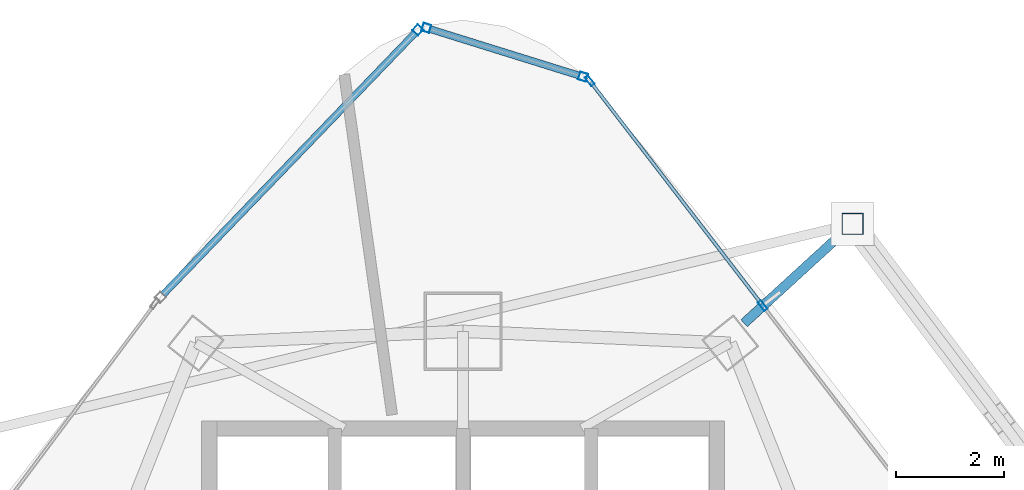
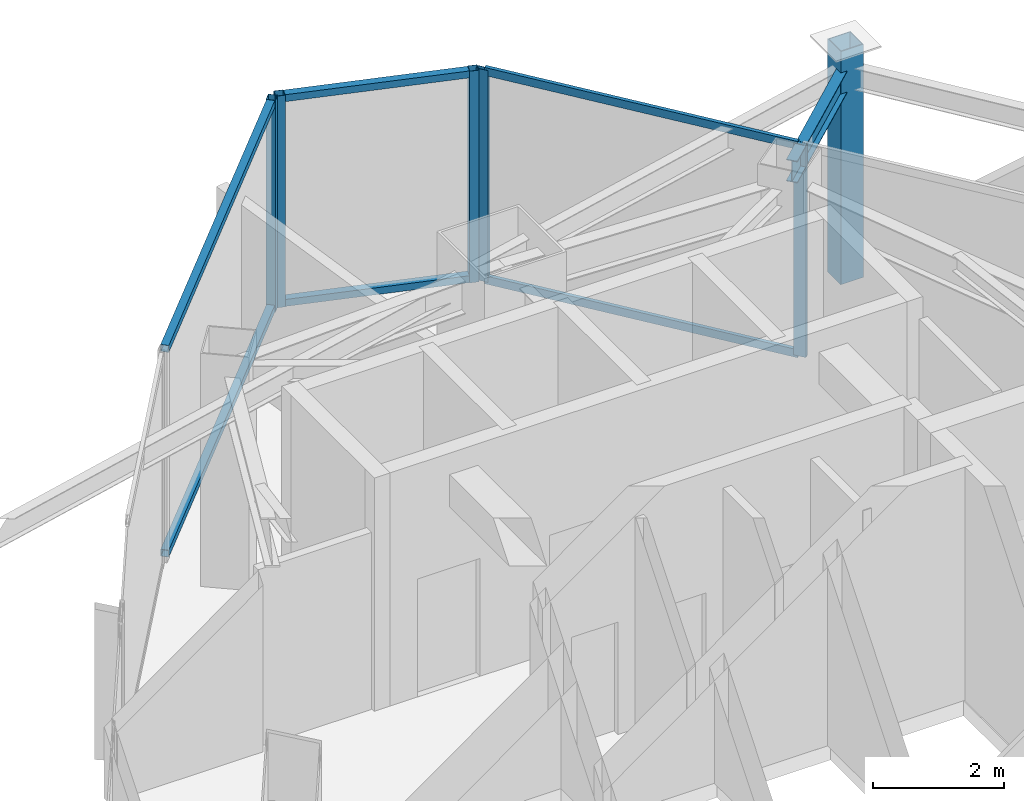
# One storey, part 20 of 27: 12 members, 1 beam, 3 elements without a shape of their own.
"""IFC4 building model written with IfcOpenShell, lengths in metres."""

import ifcopenshell
import ifcopenshell.guid

model = None  # the IFC model being written
_history = None  # IfcOwnerHistory: only IFC2X3 demands one
_inside = {}  # id of a spatial element -> (the spatial element, [elements in it])
_under = {}  # id of a project, library or spatial element -> (it, [spatial elements below it])
_declared = {}  # id of a project -> (the project, [libraries it declares])
_typed = {}  # id of a type object -> (the type object, [elements of that type])
_made_of = {}  # id of a material, layer set ... -> (it, [elements and type objects made of it])


def new_model(schema):
    """Start an empty IFC model of exactly this schema.

    Asked for "IFC4X3", IfcOpenShell would pick the latest addendum, in which some entities
    have other attributes; the version numbers below select the first issue.
    IFC2X3 requires an IfcOwnerHistory on every rooted entity: one is made here for all.
    """
    global model, _history
    if schema == "IFC4X3":
        model = ifcopenshell.file(schema_version=(4, 3, 0, 0))
    else:
        model = ifcopenshell.file(schema=schema)
    _inside.clear()
    _under.clear()
    _declared.clear()
    _typed.clear()
    _made_of.clear()
    _history = None
    if model.schema == "IFC2X3":
        org = make("IfcOrganization", Name="unknown")
        user = make(
            "IfcPersonAndOrganization",
            ThePerson=make("IfcPerson", FamilyName="unknown"),
            TheOrganization=org,
        )
        app = make(
            "IfcApplication",
            ApplicationDeveloper=org,
            Version="unknown",
            ApplicationFullName="unknown",
            ApplicationIdentifier="unknown",
        )
        _history = make(
            "IfcOwnerHistory",
            OwningUser=user,
            OwningApplication=app,
            ChangeAction="ADDED",
            CreationDate=0,
        )
    return model


def make(cls, **values):
    """One entity of the class cls with the attributes given. An attribute that is None is left unset."""
    return model.create_entity(
        cls, **{name: value for name, value in values.items() if value is not None}
    )


def rooted(cls, **values):
    """An entity with a GlobalId (a new one), such as an element, a storey or a relation."""
    return make(cls, GlobalId=ifcopenshell.guid.new(), OwnerHistory=_history, **values)


def si_unit(unit_type, name, prefix=None):
    """IfcSIUnit, for example si_unit("LENGTHUNIT", "METRE", prefix="MILLI")."""
    return make("IfcSIUnit", UnitType=unit_type, Prefix=prefix, Name=name)


def assignment(units):
    """IfcUnitAssignment: the units of a project."""
    return None if units is None else make("IfcUnitAssignment", Units=units)


def point(xyz):
    """IfcCartesianPoint."""
    return None if xyz is None else make("IfcCartesianPoint", Coordinates=xyz)


def direction(xyz):
    """IfcDirection."""
    return None if xyz is None else make("IfcDirection", DirectionRatios=xyz)


def frame(location, z_axis=None, x_axis=None):
    """IfcAxis2Placement3D, a coordinate frame: its origin and axes. An axis left out is left unset."""
    return make(
        "IfcAxis2Placement3D",
        Location=point(location),
        Axis=direction(z_axis),
        RefDirection=direction(x_axis),
    )


def frame_2d(location, x_axis=None):
    """IfcAxis2Placement2D, a coordinate frame in the plane: its origin and x axis."""
    return make(
        "IfcAxis2Placement2D", Location=point(location), RefDirection=direction(x_axis)
    )


def origin():
    """The frame at (0, 0, 0) with its axes left unset."""
    return frame((0.0, 0.0, 0.0))


def origin_2d():
    """The frame at (0, 0) in the plane with its x axis left unset."""
    return frame_2d((0.0, 0.0))


def place(relative_to, where):
    """IfcLocalPlacement: puts the frame where relative to a parent placement (None: the world)."""
    return make(
        "IfcLocalPlacement", PlacementRelTo=relative_to, RelativePlacement=where
    )


def context(
    kind, dimensions, precision=None, world=None, true_north=None, identifier=None
):
    """IfcGeometricRepresentationContext, for example the 3D "Model" context."""
    return make(
        "IfcGeometricRepresentationContext",
        ContextIdentifier=identifier,
        ContextType=kind,
        CoordinateSpaceDimension=dimensions,
        Precision=precision,
        WorldCoordinateSystem=world,
        TrueNorth=true_north,
    )


def subcontext(parent, identifier, kind, view, scale=None):
    """IfcGeometricRepresentationSubContext, for example "Body" below "Model"."""
    return make(
        "IfcGeometricRepresentationSubContext",
        ContextIdentifier=identifier,
        ContextType=kind,
        ParentContext=parent,
        TargetScale=scale,
        TargetView=view,
    )


def project(units=None, contexts=None):
    """IfcProject with its units and contexts."""
    return rooted(
        "IfcProject",
        Name="project",
        RepresentationContexts=contexts,
        UnitsInContext=assignment(units),
    )


def spatial(cls, under=None, at=None, **own):
    """A site, building, storey or space (cls), placed at a placement, below another one or the project."""
    s = rooted(cls, ObjectPlacement=at, **own)
    if under is not None:
        _under.setdefault(under.id(), (under, []))[1].append(s)
    return s


def profile(cls, at=None, kind="AREA", **sizes):
    """A parametric profile (cls). Its sizes go by their IFC names, for example OverallWidth=200.0."""
    return make(cls, ProfileType=kind, Position=at, **sizes)


def hollow_rectangle(**sizes):
    """IfcRectangleHollowProfileDef."""
    return profile("IfcRectangleHollowProfileDef", **sizes)


def i_section(**sizes):
    """IfcIShapeProfileDef."""
    return profile("IfcIShapeProfileDef", **sizes)


def extrude(swept, where, along, depth):
    """IfcExtrudedAreaSolid: the profile swept, set in the frame where, extruded along a direction by depth."""
    return make(
        "IfcExtrudedAreaSolid",
        SweptArea=swept,
        Position=where,
        ExtrudedDirection=direction(along),
        Depth=depth,
    )


def shape(context_of_items, identifier, shape_type, items):
    """IfcShapeRepresentation: the items that make up one representation, for example the "Body"."""
    return make(
        "IfcShapeRepresentation",
        ContextOfItems=context_of_items,
        RepresentationIdentifier=identifier,
        RepresentationType=shape_type,
        Items=items,
    )


def material(Name=None, Category=None):
    """IfcMaterial."""
    return make("IfcMaterial", Name=Name, Category=Category)


def layer(
    of_material, thickness, ventilated=None, Name=None, Category=None, Priority=None
):
    """IfcMaterialLayer: one layer of a wall or slab, of a material (None: an air gap)."""
    return make(
        "IfcMaterialLayer",
        Material=of_material,
        LayerThickness=thickness,
        IsVentilated=ventilated,
        Name=Name,
        Category=Category,
        Priority=Priority,
    )


def layer_set(layers, Name=None):
    """IfcMaterialLayerSet."""
    return make("IfcMaterialLayerSet", MaterialLayers=layers, LayerSetName=Name)


def material_profile(
    of_material, cross_section, Name=None, Category=None, Priority=None
):
    """IfcMaterialProfile: a cross section and its material."""
    return make(
        "IfcMaterialProfile",
        Name=Name,
        Material=of_material,
        Profile=cross_section,
        Priority=Priority,
        Category=Category,
    )


def profile_set(profiles, Name=None, composite=None):
    """IfcMaterialProfileSet."""
    return make(
        "IfcMaterialProfileSet",
        Name=Name,
        MaterialProfiles=profiles,
        CompositeProfile=composite,
    )


def made_of(thing, what):
    """Note that an element or type object is made of a material, layer set ...; save() writes the relation."""
    if what is not None:
        _made_of.setdefault(what.id(), (what, []))[1].append(thing)
    return thing


def type_object(cls, material=None, **own):
    """A type object (cls), such as IfcWallType, which elements share."""
    return made_of(rooted(cls, **own), material)


def element(
    cls,
    number,
    at=None,
    inside=None,
    cuts=None,
    type_object=None,
    material=None,
    context=None,
    identifier="Body",
    shape_type=None,
    held_by="IfcProductDefinitionShape",
    body=None,
    shapes=None,
    **own,
):
    """One element of the class cls, such as IfcWall. Its Tag is "e" and its number.

    at: its placement. inside: the storey or other place that contains it. cuts: it is an
    opening in that element (IfcRelVoidsElement). A single representation is given by context,
    identifier, shape_type and body (its items); several are given by shapes. held_by: the class
    of the entity that holds the representations. save() writes the other relations.
    """
    e = rooted(cls, Tag="e%d" % number, ObjectPlacement=at, **own)
    if body is not None:
        shapes = [shape(context, identifier, shape_type, body)]
    if shapes is not None:
        e.Representation = make(held_by, Representations=shapes)
    if inside is not None:
        _inside.setdefault(inside.id(), (inside, []))[1].append(e)
    if cuts is not None:
        rooted(
            "IfcRelVoidsElement", RelatingBuildingElement=cuts, RelatedOpeningElement=e
        )
    if type_object is not None:
        _typed.setdefault(type_object.id(), (type_object, []))[1].append(e)
    return made_of(e, material)


def aggregate(whole, parts):
    """IfcRelAggregates: a whole, such as a stair, and the parts it consists of."""
    return rooted("IfcRelAggregates", RelatingObject=whole, RelatedObjects=parts)


def save(model, path):
    """Write the relations noted so far, then the file.

    IfcRelAggregates (storeys below a building ...), IfcRelContainedInSpatialStructure (elements
    in a storey), IfcRelDefinesByType, IfcRelAssociatesMaterial and IfcRelDeclares: one each for
    every whole, place, type object, material and project.
    """
    for whole, parts in _under.values():
        aggregate(whole, parts)
    for where, things in _inside.values():
        rooted(
            "IfcRelContainedInSpatialStructure",
            RelatedElements=things,
            RelatingStructure=where,
        )
    for kind, things in _typed.values():
        rooted("IfcRelDefinesByType", RelatedObjects=things, RelatingType=kind)
    for what, things in _made_of.values():
        rooted("IfcRelAssociatesMaterial", RelatedObjects=things, RelatingMaterial=what)
    for by, libraries in _declared.values():
        rooted("IfcRelDeclares", RelatingContext=by, RelatedDefinitions=libraries)
    model.write(path)


model = new_model("IFC4")

# Units and contexts
model_context = context("Model", 3, precision=1e-05, world=origin(), true_north=direction((0.0, 1.0)))
body_context = subcontext(model_context, "Body", "Model", "MODEL_VIEW")
ifc_project = project(units=[si_unit("LENGTHUNIT", "METRE"), si_unit("AREAUNIT", "SQUARE_METRE"), si_unit("VOLUMEUNIT", "CUBIC_METRE"), si_unit("PLANEANGLEUNIT", "RADIAN"), si_unit("MASSUNIT", "GRAM", prefix="KILO")], contexts=[model_context])

# Site, building, storey
site_placement = place(None, origin())
site = spatial("IfcSite", under=ifc_project, at=site_placement, CompositionType="ELEMENT")
building_placement = place(site_placement, origin())
building = spatial("IfcBuilding", under=site, at=building_placement, Name="Orvanel Arch Residences", CompositionType="ELEMENT")
storey_placement = place(building_placement, frame((0.0, 0.0, 186.949951171875)))
storey = spatial("IfcBuildingStorey", under=building, at=storey_placement, Name="L53", CompositionType="ELEMENT", Elevation=186.949951171875)

# Curtain wall, members
ifc_material_1 = material(Name="Bronze-anodised aluminium AA6063-T6", Category="aluminium")
ifc_layer_1 = layer(ifc_material_1, 0.18994140625)
ifc_layer_set_1 = layer_set([ifc_layer_1], Name="Bronze-anodised aluminium AA6063-T6")
curtain_wall_type_1 = type_object("IfcCurtainWallType", Name="CW5-CRN-SYS", PredefinedType="NOTDEFINED", material=ifc_layer_set_1)
curtain_wall_1_placement = place(storey_placement, origin())
curtain_wall_1 = element("IfcCurtainWall", 1, at=curtain_wall_1_placement, inside=storey, type_object=curtain_wall_type_1, Name="L53 CW5-CRN-SYS Unitised Curtain Wall", PredefinedType="NOTDEFINED")
ifc_material_profile_1 = material_profile(ifc_material_1, hollow_rectangle(XDim=0.14990234375, YDim=0.14990234375, WallThickness=0.0048828125, at=origin_2d()), Name="ALU150x150x5")
ifc_profile_set_1 = profile_set([ifc_material_profile_1], Name="Bronze-anodised aluminium AA6063-T6")
member_type_1 = type_object("IfcMemberType", Name="MUL-150x150", PredefinedType="MULLION", material=ifc_profile_set_1)
member_1_placement = place(storey_placement, frame((35.220458984375, 46.1123046875, 0.0), z_axis=(0.0, 0.0, 1.0), x_axis=(-0.297435232942, -0.954741997717, 0.0)))
member_1 = element("IfcMember", 2, at=member_1_placement, type_object=member_type_1, Name="CW-S5 mullion 1", PredefinedType="MULLION", context=body_context, shape_type="SweptSolid", body=[
    extrude(hollow_rectangle(XDim=0.14990234375, YDim=0.14990234375, WallThickness=0.0048828125, at=origin_2d()), origin(), (0.0, 0.0, 1.0), 3.949951171875),
])
member_2_placement = place(storey_placement, frame((32.320556640625, 47.015625, 0.0), z_axis=(0.0, 0.0, 1.0), x_axis=(-0.297435232942, -0.954741997717, 0.0)))
member_2 = element("IfcMember", 3, at=member_2_placement, type_object=member_type_1, Name="CW-S5 mullion 2", PredefinedType="MULLION", context=body_context, shape_type="SweptSolid", body=[
    extrude(hollow_rectangle(XDim=0.14990234375, YDim=0.14990234375, WallThickness=0.0048828125, at=origin_2d()), origin(), (0.0, 0.0, 1.0), 3.949951171875),
])

# Curtain wall, member
curtain_wall_2_placement = place(storey_placement, origin())
curtain_wall_2 = element("IfcCurtainWall", 4, at=curtain_wall_2_placement, inside=storey, type_object=curtain_wall_type_1, Name="L53 CW5-CRN-SYS Unitised Curtain Wall", PredefinedType="NOTDEFINED")
member_3_placement = place(storey_placement, frame((32.1640625, 46.97607421875, 0.0), z_axis=(0.0, 0.0, 1.0), x_axis=(0.720149000045, -0.693819441738, 0.0)))
member_3 = element("IfcMember", 5, at=member_3_placement, type_object=member_type_1, Name="CW-S5 mullion 1", PredefinedType="MULLION", context=body_context, shape_type="SweptSolid", body=[
    extrude(hollow_rectangle(XDim=0.14990234375, YDim=0.14990234375, WallThickness=0.0048828125, at=origin_2d()), origin(), (0.0, 0.0, 1.0), 3.949951171875),
])

# Curtain wall, members
ifc_layer_2 = layer(ifc_material_1, 0.195068359375)
ifc_layer_set_2 = layer_set([ifc_layer_2], Name="Bronze-anodised aluminium AA6063-T6")
curtain_wall_type_2 = type_object("IfcCurtainWallType", Name="CW6-COM-SYS", PredefinedType="NOTDEFINED", material=ifc_layer_set_2)
curtain_wall_3_placement = place(storey_placement, origin())
curtain_wall_3 = element("IfcCurtainWall", 6, at=curtain_wall_3_placement, inside=storey, type_object=curtain_wall_type_2, Name="L53 CW6-COM-SYS Unitised Curtain Wall", PredefinedType="NOTDEFINED")
ifc_material_profile_2 = material_profile(ifc_material_1, hollow_rectangle(XDim=0.074951171875, YDim=0.199951171875, WallThickness=0.0048828125, at=origin_2d()), Name="ALU200x75x5")
ifc_profile_set_2 = profile_set([ifc_material_profile_2], Name="Bronze-anodised aluminium AA6063-T6")
member_type_2 = type_object("IfcMemberType", Name="MUL-200x75", PredefinedType="MULLION", material=ifc_profile_set_2)
member_4_placement = place(storey_placement, frame((38.54931640625, 41.874267578125, 0.0), z_axis=(0.0, 0.0, 1.0), x_axis=(-0.79258417423, -0.60976251669, 0.0)))
member_4 = element("IfcMember", 7, at=member_4_placement, type_object=member_type_2, Name="CW-S6 mullion 3", PredefinedType="MULLION", context=body_context, shape_type="SweptSolid", body=[
    extrude(hollow_rectangle(XDim=0.074951171875, YDim=0.199951171875, WallThickness=0.0048828125, at=origin_2d()), origin(), (0.0, 0.0, 1.0), 3.949951171875),
])
member_5_placement = place(storey_placement, frame((35.345947265625, 46.038330078125, 0.0), z_axis=(0.0, 0.0, 1.0), x_axis=(-0.79258417423, -0.60976251669, 0.0)))
member_5 = element("IfcMember", 8, at=member_5_placement, type_object=member_type_2, Name="CW-S6 mullion 4", PredefinedType="MULLION", context=body_context, shape_type="SweptSolid", body=[
    extrude(hollow_rectangle(XDim=0.074951171875, YDim=0.199951171875, WallThickness=0.0048828125, at=origin_2d()), origin(), (0.0, 0.0, 1.0), 3.949951171875),
])

# Beam
ifc_material_2 = material(Name="Structural steel AS/NZS 3679.1 Grade 300 (300 MPa)", Category="steel")
ifc_material_profile_3 = material_profile(ifc_material_2, i_section(OverallWidth=0.177978515625, OverallDepth=0.406005859375, WebThickness=0.0078125, FlangeThickness=0.0126953125, at=origin_2d()), Name="410UB59.7")
ifc_profile_set_3 = profile_set([ifc_material_profile_3], Name="Structural steel AS/NZS 3679.1 Grade 300 (300 MPa)")
beam_type = type_object("IfcBeamType", Name="OB-410UB-EXT", PredefinedType="SPANDREL", material=ifc_profile_set_3)
beam_placement = place(storey_placement, frame((38.2041015625, 41.547119140625, 3.7470703125), z_axis=(0.737804462894, 0.675014499499, 0.0), x_axis=(-0.675014499499, 0.737804462894, 0.0)))
element("IfcBeam", 9, at=beam_placement, inside=storey, type_object=beam_type, Name="L53 Outer Frame Radial Tie Beam 12", PredefinedType="SPANDREL", context=body_context, shape_type="SweptSolid", body=[
    extrude(i_section(OverallWidth=0.177978515625, OverallDepth=0.406005859375, WebThickness=0.0078125, FlangeThickness=0.0126953125, at=origin_2d()), origin(), (0.0, 0.0, 1.0), 2.7255859375),
])

# Member
ifc_material_3 = material(Name="Structural steel AS/NZS 1163 C450L0 (Grade 450)", Category="steel")
ifc_material_profile_4 = material_profile(ifc_material_3, hollow_rectangle(XDim=0.39990234375, YDim=0.39990234375, WallThickness=0.01611328125, at=origin_2d()), Name="SHS400x400x16")
ifc_profile_set_4 = profile_set([ifc_material_profile_4], Name="Structural steel AS/NZS 1163 C450L0 (Grade 450)")
member_type_3 = type_object("IfcMemberType", Name="ST-400SHS-EXT", PredefinedType="STRUT", material=ifc_profile_set_4)
member_6_placement = place(storey_placement, frame((40.215087890625, 43.386962890625, 0.0), z_axis=(0.0, 0.0, 1.0), x_axis=(1.0, 0.0, 0.0)))
element("IfcMember", 10, at=member_6_placement, inside=storey, type_object=member_type_3, Name="L53 Outer Perimeter Frame Post 12", PredefinedType="STRUT", context=body_context, shape_type="SweptSolid", body=[
    extrude(hollow_rectangle(XDim=0.39990234375, YDim=0.39990234375, WallThickness=0.01611328125, at=origin_2d()), origin(), (0.0, 0.0, 1.0), 4.35009765625),
])

ifc_material_profile_5 = material_profile(ifc_material_1, hollow_rectangle(XDim=0.1298828125, YDim=0.1298828125, WallThickness=0.00439453125, at=origin_2d()), Name="ALU130x130x4.5")
ifc_profile_set_5 = profile_set([ifc_material_profile_5], Name="Bronze-anodised aluminium AA6063-T6")
member_type_4 = type_object("IfcMemberType", Name="TRN-130x130", PredefinedType="USERDEFINED", material=ifc_profile_set_5)
member_7_placement = place(storey_placement, frame((35.148681640625, 46.134521484375, 0.06494140625), z_axis=(-0.954730902486, 0.297470845359, 0.0), x_axis=(-0.297470845359, -0.954730902486, 0.0)))
member_7 = element("IfcMember", 11, at=member_7_placement, type_object=member_type_4, Name="CW-S5 transom 1.1", ObjectType="TRANSOM", PredefinedType="USERDEFINED", context=body_context, shape_type="SweptSolid", body=[
    extrude(hollow_rectangle(XDim=0.1298828125, YDim=0.1298828125, WallThickness=0.00439453125, at=origin_2d()), origin(), (0.0, 0.0, 1.0), 2.88720703125),
])

member_8_placement = place(storey_placement, frame((35.148681640625, 46.134521484375, 3.885009765625), z_axis=(-0.954730902486, 0.297470845359, 0.0), x_axis=(-0.297470845359, -0.954730902486, 0.0)))
member_8 = element("IfcMember", 12, at=member_8_placement, type_object=member_type_4, Name="CW-S5 transom 1.2", ObjectType="TRANSOM", PredefinedType="USERDEFINED", context=body_context, shape_type="SweptSolid", body=[
    extrude(hollow_rectangle(XDim=0.1298828125, YDim=0.1298828125, WallThickness=0.00439453125, at=origin_2d()), origin(), (0.0, 0.0, 1.0), 2.88720703125),
])

aggregate(curtain_wall_1, [member_1, member_2, member_7, member_8])

member_9_placement = place(storey_placement, frame((32.11181640625, 46.921875, 0.06494140625), z_axis=(-0.693826510161, -0.720142189986, 0.0), x_axis=(0.720142189986, -0.693826510161, 0.0)))
member_9 = element("IfcMember", 13, at=member_9_placement, type_object=member_type_4, Name="CW-S5 transom 1.1", ObjectType="TRANSOM", PredefinedType="USERDEFINED", context=body_context, shape_type="SweptSolid", body=[
    extrude(hollow_rectangle(XDim=0.1298828125, YDim=0.1298828125, WallThickness=0.00439453125, at=origin_2d()), origin(), (0.0, 0.0, 1.0), 6.72607421875),
])

member_10_placement = place(storey_placement, frame((32.11181640625, 46.921875, 3.885009765625), z_axis=(-0.693826510161, -0.720142189986, 0.0), x_axis=(0.720142189986, -0.693826510161, 0.0)))
member_10 = element("IfcMember", 14, at=member_10_placement, type_object=member_type_4, Name="CW-S5 transom 1.2", ObjectType="TRANSOM", PredefinedType="USERDEFINED", context=body_context, shape_type="SweptSolid", body=[
    extrude(hollow_rectangle(XDim=0.1298828125, YDim=0.1298828125, WallThickness=0.00439453125, at=origin_2d()), origin(), (0.0, 0.0, 1.0), 6.72607421875),
])

aggregate(curtain_wall_2, [member_3, member_9, member_10])

ifc_material_profile_6 = material_profile(ifc_material_1, hollow_rectangle(XDim=0.06494140625, YDim=0.14990234375, WallThickness=0.00390625, at=origin_2d()), Name="ALU150x65x4")
ifc_profile_set_6 = profile_set([ifc_material_profile_6], Name="Bronze-anodised aluminium AA6063-T6")
member_type_5 = type_object("IfcMemberType", Name="TRN-150x65", PredefinedType="USERDEFINED", material=ifc_profile_set_6)
member_11_placement = place(storey_placement, frame((38.5263671875, 41.904052734375, 0.032470703125), z_axis=(-0.609760883023, 0.792585431064, 0.0), x_axis=(-0.792585431064, -0.609760883023, 0.0)))
member_11 = element("IfcMember", 15, at=member_11_placement, type_object=member_type_5, Name="CW-S6 transom 3.1", ObjectType="TRANSOM", PredefinedType="USERDEFINED", context=body_context, shape_type="SweptSolid", body=[
    extrude(hollow_rectangle(XDim=0.06494140625, YDim=0.14990234375, WallThickness=0.00390625, at=origin_2d()), origin(), (0.0, 0.0, 1.0), 5.1787109375),
])

member_12_placement = place(storey_placement, frame((38.5263671875, 41.904052734375, 3.91748046875), z_axis=(-0.609760883023, 0.792585431064, 0.0), x_axis=(-0.792585431064, -0.609760883023, 0.0)))
member_12 = element("IfcMember", 16, at=member_12_placement, type_object=member_type_5, Name="CW-S6 transom 3.2", ObjectType="TRANSOM", PredefinedType="USERDEFINED", context=body_context, shape_type="SweptSolid", body=[
    extrude(hollow_rectangle(XDim=0.06494140625, YDim=0.14990234375, WallThickness=0.00390625, at=origin_2d()), origin(), (0.0, 0.0, 1.0), 5.1787109375),
])

aggregate(curtain_wall_3, [member_4, member_5, member_11, member_12])

save(model, "model.ifc")
